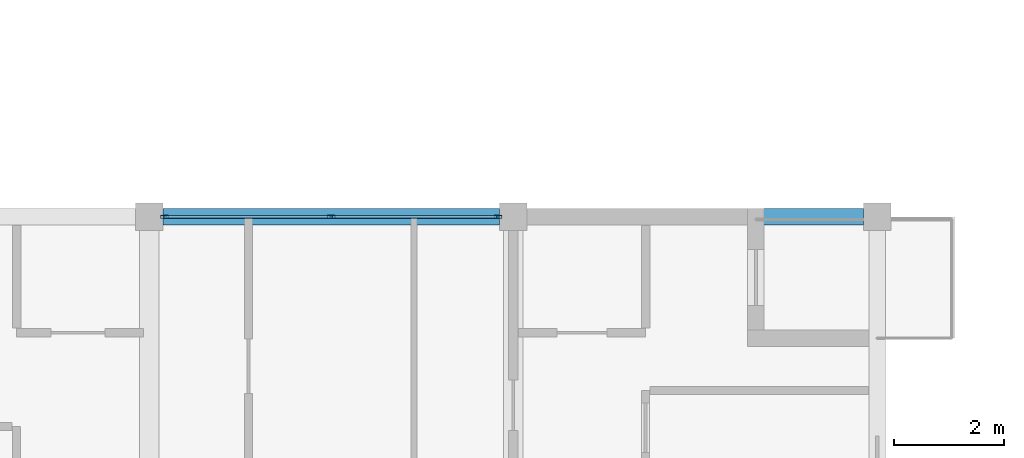
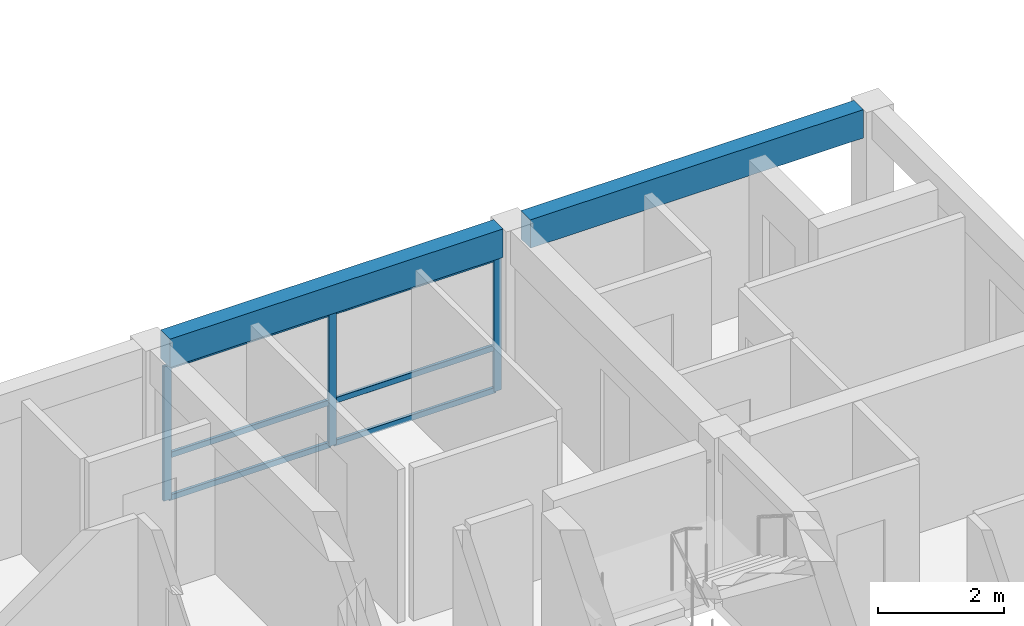
# One storey, part 13 of 51: 9 members, 2 beams, 1 element without a shape of its own.
"""IFC4 building model written with IfcOpenShell, lengths in metres."""

import ifcopenshell
import ifcopenshell.guid

model = None  # the IFC model being written
_history = None  # IfcOwnerHistory: only IFC2X3 demands one
_inside = {}  # id of a spatial element -> (the spatial element, [elements in it])
_under = {}  # id of a project, library or spatial element -> (it, [spatial elements below it])
_declared = {}  # id of a project -> (the project, [libraries it declares])
_typed = {}  # id of a type object -> (the type object, [elements of that type])
_made_of = {}  # id of a material, layer set ... -> (it, [elements and type objects made of it])


def new_model(schema):
    """Start an empty IFC model of exactly this schema.

    Asked for "IFC4X3", IfcOpenShell would pick the latest addendum, in which some entities
    have other attributes; the version numbers below select the first issue.
    IFC2X3 requires an IfcOwnerHistory on every rooted entity: one is made here for all.
    """
    global model, _history
    if schema == "IFC4X3":
        model = ifcopenshell.file(schema_version=(4, 3, 0, 0))
    else:
        model = ifcopenshell.file(schema=schema)
    _inside.clear()
    _under.clear()
    _declared.clear()
    _typed.clear()
    _made_of.clear()
    _history = None
    if model.schema == "IFC2X3":
        org = make("IfcOrganization", Name="unknown")
        user = make(
            "IfcPersonAndOrganization",
            ThePerson=make("IfcPerson", FamilyName="unknown"),
            TheOrganization=org,
        )
        app = make(
            "IfcApplication",
            ApplicationDeveloper=org,
            Version="unknown",
            ApplicationFullName="unknown",
            ApplicationIdentifier="unknown",
        )
        _history = make(
            "IfcOwnerHistory",
            OwningUser=user,
            OwningApplication=app,
            ChangeAction="ADDED",
            CreationDate=0,
        )
    return model


def make(cls, **values):
    """One entity of the class cls with the attributes given. An attribute that is None is left unset."""
    return model.create_entity(
        cls, **{name: value for name, value in values.items() if value is not None}
    )


def rooted(cls, **values):
    """An entity with a GlobalId (a new one), such as an element, a storey or a relation."""
    return make(cls, GlobalId=ifcopenshell.guid.new(), OwnerHistory=_history, **values)


def si_unit(unit_type, name, prefix=None):
    """IfcSIUnit, for example si_unit("LENGTHUNIT", "METRE", prefix="MILLI")."""
    return make("IfcSIUnit", UnitType=unit_type, Prefix=prefix, Name=name)


def assignment(units):
    """IfcUnitAssignment: the units of a project."""
    return None if units is None else make("IfcUnitAssignment", Units=units)


def point(xyz):
    """IfcCartesianPoint."""
    return None if xyz is None else make("IfcCartesianPoint", Coordinates=xyz)


def direction(xyz):
    """IfcDirection."""
    return None if xyz is None else make("IfcDirection", DirectionRatios=xyz)


def frame(location, z_axis=None, x_axis=None):
    """IfcAxis2Placement3D, a coordinate frame: its origin and axes. An axis left out is left unset."""
    return make(
        "IfcAxis2Placement3D",
        Location=point(location),
        Axis=direction(z_axis),
        RefDirection=direction(x_axis),
    )


def frame_2d(location, x_axis=None):
    """IfcAxis2Placement2D, a coordinate frame in the plane: its origin and x axis."""
    return make(
        "IfcAxis2Placement2D", Location=point(location), RefDirection=direction(x_axis)
    )


def origin():
    """The frame at (0, 0, 0) with its axes left unset."""
    return frame((0.0, 0.0, 0.0))


def origin_2d():
    """The frame at (0, 0) in the plane with its x axis left unset."""
    return frame_2d((0.0, 0.0))


def place(relative_to, where):
    """IfcLocalPlacement: puts the frame where relative to a parent placement (None: the world)."""
    return make(
        "IfcLocalPlacement", PlacementRelTo=relative_to, RelativePlacement=where
    )


def context(
    kind, dimensions, precision=None, world=None, true_north=None, identifier=None
):
    """IfcGeometricRepresentationContext, for example the 3D "Model" context."""
    return make(
        "IfcGeometricRepresentationContext",
        ContextIdentifier=identifier,
        ContextType=kind,
        CoordinateSpaceDimension=dimensions,
        Precision=precision,
        WorldCoordinateSystem=world,
        TrueNorth=true_north,
    )


def subcontext(parent, identifier, kind, view, scale=None):
    """IfcGeometricRepresentationSubContext, for example "Body" below "Model"."""
    return make(
        "IfcGeometricRepresentationSubContext",
        ContextIdentifier=identifier,
        ContextType=kind,
        ParentContext=parent,
        TargetScale=scale,
        TargetView=view,
    )


def project(units=None, contexts=None):
    """IfcProject with its units and contexts."""
    return rooted(
        "IfcProject",
        Name="project",
        RepresentationContexts=contexts,
        UnitsInContext=assignment(units),
    )


def spatial(cls, under=None, at=None, **own):
    """A site, building, storey or space (cls), placed at a placement, below another one or the project."""
    s = rooted(cls, ObjectPlacement=at, **own)
    if under is not None:
        _under.setdefault(under.id(), (under, []))[1].append(s)
    return s


def profile(cls, at=None, kind="AREA", **sizes):
    """A parametric profile (cls). Its sizes go by their IFC names, for example OverallWidth=200.0."""
    return make(cls, ProfileType=kind, Position=at, **sizes)


def rectangle(**sizes):
    """IfcRectangleProfileDef."""
    return profile("IfcRectangleProfileDef", **sizes)


def hollow_rectangle(**sizes):
    """IfcRectangleHollowProfileDef."""
    return profile("IfcRectangleHollowProfileDef", **sizes)


def extrude(swept, where, along, depth):
    """IfcExtrudedAreaSolid: the profile swept, set in the frame where, extruded along a direction by depth."""
    return make(
        "IfcExtrudedAreaSolid",
        SweptArea=swept,
        Position=where,
        ExtrudedDirection=direction(along),
        Depth=depth,
    )


def shape(context_of_items, identifier, shape_type, items):
    """IfcShapeRepresentation: the items that make up one representation, for example the "Body"."""
    return make(
        "IfcShapeRepresentation",
        ContextOfItems=context_of_items,
        RepresentationIdentifier=identifier,
        RepresentationType=shape_type,
        Items=items,
    )


def material(Name=None, Category=None):
    """IfcMaterial."""
    return make("IfcMaterial", Name=Name, Category=Category)


def material_profile(
    of_material, cross_section, Name=None, Category=None, Priority=None
):
    """IfcMaterialProfile: a cross section and its material."""
    return make(
        "IfcMaterialProfile",
        Name=Name,
        Material=of_material,
        Profile=cross_section,
        Priority=Priority,
        Category=Category,
    )


def profile_set(profiles, Name=None, composite=None):
    """IfcMaterialProfileSet."""
    return make(
        "IfcMaterialProfileSet",
        Name=Name,
        MaterialProfiles=profiles,
        CompositeProfile=composite,
    )


def made_of(thing, what):
    """Note that an element or type object is made of a material, layer set ...; save() writes the relation."""
    if what is not None:
        _made_of.setdefault(what.id(), (what, []))[1].append(thing)
    return thing


def type_object(cls, material=None, **own):
    """A type object (cls), such as IfcWallType, which elements share."""
    return made_of(rooted(cls, **own), material)


def element(
    cls,
    number,
    at=None,
    inside=None,
    cuts=None,
    type_object=None,
    material=None,
    context=None,
    identifier="Body",
    shape_type=None,
    held_by="IfcProductDefinitionShape",
    body=None,
    shapes=None,
    **own,
):
    """One element of the class cls, such as IfcWall. Its Tag is "e" and its number.

    at: its placement. inside: the storey or other place that contains it. cuts: it is an
    opening in that element (IfcRelVoidsElement). A single representation is given by context,
    identifier, shape_type and body (its items); several are given by shapes. held_by: the class
    of the entity that holds the representations. save() writes the other relations.
    """
    e = rooted(cls, Tag="e%d" % number, ObjectPlacement=at, **own)
    if body is not None:
        shapes = [shape(context, identifier, shape_type, body)]
    if shapes is not None:
        e.Representation = make(held_by, Representations=shapes)
    if inside is not None:
        _inside.setdefault(inside.id(), (inside, []))[1].append(e)
    if cuts is not None:
        rooted(
            "IfcRelVoidsElement", RelatingBuildingElement=cuts, RelatedOpeningElement=e
        )
    if type_object is not None:
        _typed.setdefault(type_object.id(), (type_object, []))[1].append(e)
    return made_of(e, material)


def aggregate(whole, parts):
    """IfcRelAggregates: a whole, such as a stair, and the parts it consists of."""
    return rooted("IfcRelAggregates", RelatingObject=whole, RelatedObjects=parts)


def save(model, path):
    """Write the relations noted so far, then the file.

    IfcRelAggregates (storeys below a building ...), IfcRelContainedInSpatialStructure (elements
    in a storey), IfcRelDefinesByType, IfcRelAssociatesMaterial and IfcRelDeclares: one each for
    every whole, place, type object, material and project.
    """
    for whole, parts in _under.values():
        aggregate(whole, parts)
    for where, things in _inside.values():
        rooted(
            "IfcRelContainedInSpatialStructure",
            RelatedElements=things,
            RelatingStructure=where,
        )
    for kind, things in _typed.values():
        rooted("IfcRelDefinesByType", RelatedObjects=things, RelatingType=kind)
    for what, things in _made_of.values():
        rooted("IfcRelAssociatesMaterial", RelatedObjects=things, RelatingMaterial=what)
    for by, libraries in _declared.values():
        rooted("IfcRelDeclares", RelatingContext=by, RelatedDefinitions=libraries)
    model.write(path)


model = new_model("IFC4")

# Units and contexts
model_context = context("Model", 3, precision=1e-05, world=origin(), true_north=direction((0.0, 1.0)))
body_context = subcontext(model_context, "Body", "Model", "MODEL_VIEW")
ifc_project = project(units=[si_unit("LENGTHUNIT", "METRE"), si_unit("AREAUNIT", "SQUARE_METRE"), si_unit("VOLUMEUNIT", "CUBIC_METRE"), si_unit("PLANEANGLEUNIT", "RADIAN"), si_unit("MASSUNIT", "GRAM", prefix="KILO")], contexts=[model_context])

# Site, building, storey
site_placement = place(None, origin())
site = spatial("IfcSite", under=ifc_project, at=site_placement, CompositionType="ELEMENT")
building_placement = place(site_placement, origin())
building = spatial("IfcBuilding", under=site, at=building_placement, Name="Kernevlak Ridge Housing Community", CompositionType="ELEMENT")
storey_placement = place(building_placement, frame((0.0, 0.0, 8.39990234375)))
storey = spatial("IfcBuildingStorey", under=building, at=storey_placement, Name="L02", CompositionType="ELEMENT", Elevation=8.39990234375)

# Curtain wall, members
ifc_material_1 = material(Name="Aluminium EN AW-6060 anodised and laminated glass", Category="aluminium")
curtain_wall_type = type_object("IfcCurtainWallType", Name="CW-02", PredefinedType="NOTDEFINED", material=ifc_material_1)
curtain_wall_placement = place(storey_placement, origin())
curtain_wall = element("IfcCurtainWall", 1, at=curtain_wall_placement, inside=storey, type_object=curtain_wall_type, Name="Curtain wall CW-02 CW-L02-108", PredefinedType="NOTDEFINED")
ifc_material_2 = material(Name="Aluminium EN AW-6060 anodised", Category="aluminium")
ifc_material_profile_1 = material_profile(ifc_material_2, hollow_rectangle(XDim=0.054931640625, YDim=0.139892578125, WallThickness=0.00390625, InnerFilletRadius=0.001953125, OuterFilletRadius=0.00390625, at=origin_2d()), Name="ALU 55x140x4")
ifc_profile_set_1 = profile_set([ifc_material_profile_1], Name="Aluminium EN AW-6060 anodised")
member_type_1 = type_object("IfcMemberType", Name="MU-01", PredefinedType="MULLION", material=ifc_profile_set_1)
member_1_placement = place(storey_placement, frame((132.87744140625, 42.0, 0.0), z_axis=(0.0, 0.0, 1.0), x_axis=(0.0, 1.0, 0.0)))
member_1 = element("IfcMember", 2, at=member_1_placement, type_object=member_type_1, Name="CW-02 mullion 1", PredefinedType="MULLION", context=body_context, shape_type="SweptSolid", body=[
    extrude(hollow_rectangle(XDim=0.054931640625, YDim=0.139892578125, WallThickness=0.00390625, InnerFilletRadius=0.001953125, OuterFilletRadius=0.00390625, at=origin_2d()), origin(), (0.0, 0.0, 1.0), 2.60009765625),
])
member_2_placement = place(storey_placement, frame((135.89990234375, 42.0, 0.0), z_axis=(0.0, 0.0, 1.0), x_axis=(0.0, 1.0, 0.0)))
member_2 = element("IfcMember", 3, at=member_2_placement, type_object=member_type_1, Name="CW-02 mullion 2", PredefinedType="MULLION", context=body_context, shape_type="SweptSolid", body=[
    extrude(hollow_rectangle(XDim=0.054931640625, YDim=0.139892578125, WallThickness=0.00390625, InnerFilletRadius=0.001953125, OuterFilletRadius=0.00390625, at=origin_2d()), origin(), (0.0, 0.0, 1.0), 2.60009765625),
])
member_3_placement = place(storey_placement, frame((138.922607421875, 42.0, 0.0), z_axis=(0.0, 0.0, 1.0), x_axis=(0.0, 1.0, 0.0)))
member_3 = element("IfcMember", 4, at=member_3_placement, type_object=member_type_1, Name="CW-02 mullion 3", PredefinedType="MULLION", context=body_context, shape_type="SweptSolid", body=[
    extrude(hollow_rectangle(XDim=0.054931640625, YDim=0.139892578125, WallThickness=0.00390625, InnerFilletRadius=0.001953125, OuterFilletRadius=0.00390625, at=origin_2d()), origin(), (0.0, 0.0, 1.0), 2.60009765625),
])

# Beams
ifc_material_3 = material(Name="Concrete C35/45", Category="concrete")
ifc_material_profile_2 = material_profile(ifc_material_3, rectangle(XDim=0.300048828125, YDim=0.550048828125, at=origin_2d()), Name="RC 300x550")
ifc_profile_set_2 = profile_set([ifc_material_profile_2], Name="Concrete C35/45")
beam_type = type_object("IfcBeamType", Name="SP-01", PredefinedType="SPANDREL", material=ifc_profile_set_2)
beam_1_placement = place(storey_placement, frame((132.85009765625, 42.0, 2.925048828125), z_axis=(1.0, 0.0, 0.0), x_axis=(0.0, 1.0, 0.0)))
element("IfcBeam", 5, at=beam_1_placement, inside=storey, type_object=beam_type, Name="Beam SP-01 L02 1066", PredefinedType="SPANDREL", context=body_context, shape_type="SweptSolid", body=[
    extrude(rectangle(XDim=0.300048828125, YDim=0.550048828125, at=origin_2d()), origin(), (0.0, 0.0, 1.0), 6.099853515625),
])
beam_2_placement = place(storey_placement, frame((139.449951171875, 42.0, 2.925048828125), z_axis=(1.0, 0.0, 0.0), x_axis=(0.0, 1.0, 0.0)))
element("IfcBeam", 6, at=beam_2_placement, inside=storey, type_object=beam_type, Name="Beam SP-01 L02 1067", PredefinedType="SPANDREL", context=body_context, shape_type="SweptSolid", body=[
    extrude(rectangle(XDim=0.300048828125, YDim=0.550048828125, at=origin_2d()), origin(), (0.0, 0.0, 1.0), 6.10009765625),
])

# Member
ifc_material_profile_3 = material_profile(ifc_material_2, hollow_rectangle(XDim=0.054931640625, YDim=0.110107421875, WallThickness=0.00390625, InnerFilletRadius=0.001953125, OuterFilletRadius=0.00390625, at=origin_2d()), Name="ALU 55x110x4")
ifc_profile_set_3 = profile_set([ifc_material_profile_3], Name="Aluminium EN AW-6060 anodised")
member_type_2 = type_object("IfcMemberType", Name="TM-01", PredefinedType="USERDEFINED", material=ifc_profile_set_3)
member_4_placement = place(storey_placement, frame((132.905029296875, 42.0, 0.027587890625), z_axis=(1.0, 0.0, 0.0), x_axis=(0.0, 1.0, 0.0)))
member_4 = element("IfcMember", 7, at=member_4_placement, type_object=member_type_2, Name="CW-02 transom 1.1", ObjectType="TRANSOM", PredefinedType="USERDEFINED", context=body_context, shape_type="SweptSolid", body=[
    extrude(hollow_rectangle(XDim=0.054931640625, YDim=0.110107421875, WallThickness=0.00390625, InnerFilletRadius=0.001953125, OuterFilletRadius=0.00390625, at=origin_2d()), origin(), (0.0, 0.0, 1.0), 2.967529296875),
])

member_5_placement = place(storey_placement, frame((132.905029296875, 42.0, 0.85009765625), z_axis=(1.0, 0.0, 0.0), x_axis=(0.0, 1.0, 0.0)))
member_5 = element("IfcMember", 8, at=member_5_placement, type_object=member_type_2, Name="CW-02 transom 1.2", ObjectType="TRANSOM", PredefinedType="USERDEFINED", context=body_context, shape_type="SweptSolid", body=[
    extrude(hollow_rectangle(XDim=0.054931640625, YDim=0.110107421875, WallThickness=0.00390625, InnerFilletRadius=0.001953125, OuterFilletRadius=0.00390625, at=origin_2d()), origin(), (0.0, 0.0, 1.0), 2.967529296875),
])

member_6_placement = place(storey_placement, frame((132.905029296875, 42.0, 2.572509765625), z_axis=(1.0, 0.0, 0.0), x_axis=(0.0, 1.0, 0.0)))
member_6 = element("IfcMember", 9, at=member_6_placement, type_object=member_type_2, Name="CW-02 transom 1.3", ObjectType="TRANSOM", PredefinedType="USERDEFINED", context=body_context, shape_type="SweptSolid", body=[
    extrude(hollow_rectangle(XDim=0.054931640625, YDim=0.110107421875, WallThickness=0.00390625, InnerFilletRadius=0.001953125, OuterFilletRadius=0.00390625, at=origin_2d()), origin(), (0.0, 0.0, 1.0), 2.967529296875),
])

member_7_placement = place(storey_placement, frame((135.927490234375, 42.0, 0.027587890625), z_axis=(1.0, 0.0, 0.0), x_axis=(0.0, 1.0, 0.0)))
member_7 = element("IfcMember", 10, at=member_7_placement, type_object=member_type_2, Name="CW-02 transom 2.1", ObjectType="TRANSOM", PredefinedType="USERDEFINED", context=body_context, shape_type="SweptSolid", body=[
    extrude(hollow_rectangle(XDim=0.054931640625, YDim=0.110107421875, WallThickness=0.00390625, InnerFilletRadius=0.001953125, OuterFilletRadius=0.00390625, at=origin_2d()), origin(), (0.0, 0.0, 1.0), 2.967529296875),
])

member_8_placement = place(storey_placement, frame((135.927490234375, 42.0, 0.85009765625), z_axis=(1.0, 0.0, 0.0), x_axis=(0.0, 1.0, 0.0)))
member_8 = element("IfcMember", 11, at=member_8_placement, type_object=member_type_2, Name="CW-02 transom 2.2", ObjectType="TRANSOM", PredefinedType="USERDEFINED", context=body_context, shape_type="SweptSolid", body=[
    extrude(hollow_rectangle(XDim=0.054931640625, YDim=0.110107421875, WallThickness=0.00390625, InnerFilletRadius=0.001953125, OuterFilletRadius=0.00390625, at=origin_2d()), origin(), (0.0, 0.0, 1.0), 2.967529296875),
])

member_9_placement = place(storey_placement, frame((135.927490234375, 42.0, 2.572509765625), z_axis=(1.0, 0.0, 0.0), x_axis=(0.0, 1.0, 0.0)))
member_9 = element("IfcMember", 12, at=member_9_placement, type_object=member_type_2, Name="CW-02 transom 2.3", ObjectType="TRANSOM", PredefinedType="USERDEFINED", context=body_context, shape_type="SweptSolid", body=[
    extrude(hollow_rectangle(XDim=0.054931640625, YDim=0.110107421875, WallThickness=0.00390625, InnerFilletRadius=0.001953125, OuterFilletRadius=0.00390625, at=origin_2d()), origin(), (0.0, 0.0, 1.0), 2.967529296875),
])

aggregate(curtain_wall, [member_1, member_2, member_3, member_4, member_5, member_6, member_7, member_8, member_9])

save(model, "model.ifc")
